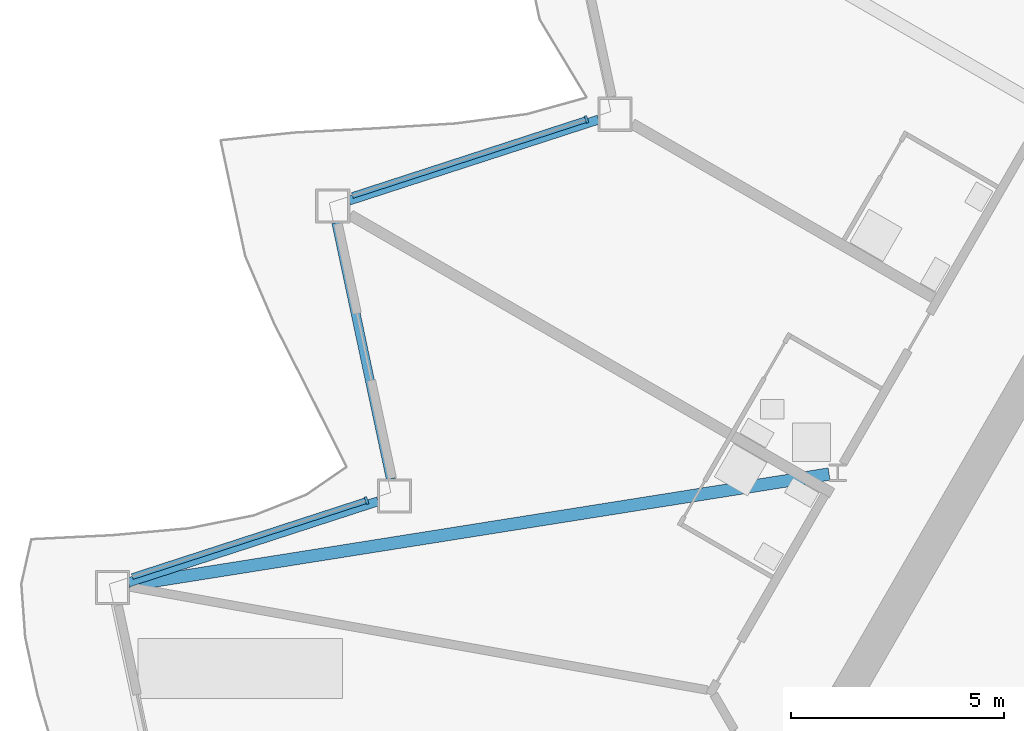
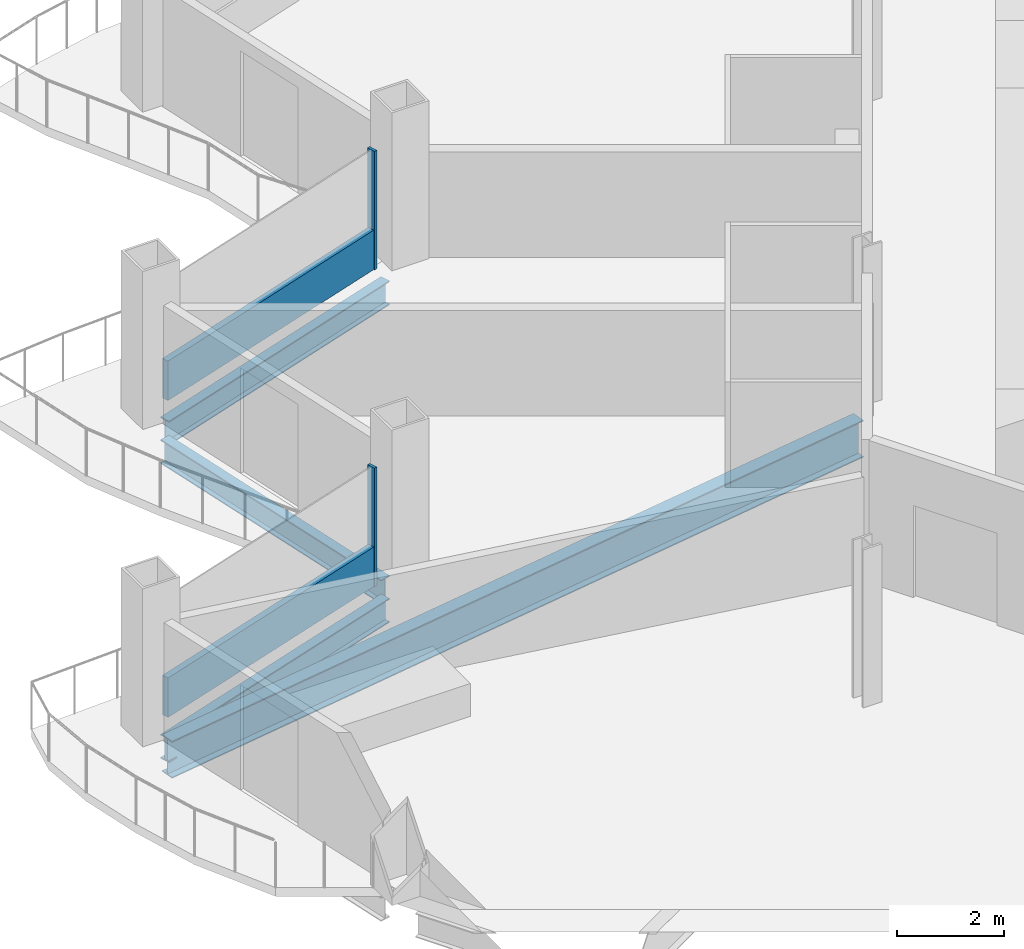
# One storey, part 5 of 23: 4 beams, 4 members, 2 elements without a shape of their own.
"""IFC4 building model written with IfcOpenShell, lengths in metres."""

from ifc_helpers import new_model, si_unit, direction, frame, origin, origin_2d, place, context, subcontext, project, spatial, rectangle, i_section, extrude, material, layer, layer_set, material_profile, profile_set, type_object, element, aggregate, save


model = new_model("IFC4")

# Units and contexts
model_context = context("Model", 3, precision=1e-05, world=origin(), true_north=direction((0.0, 1.0)))
body_context = subcontext(model_context, "Body", "Model", "MODEL_VIEW")
ifc_project = project(units=[si_unit("LENGTHUNIT", "METRE"), si_unit("AREAUNIT", "SQUARE_METRE"), si_unit("VOLUMEUNIT", "CUBIC_METRE"), si_unit("PLANEANGLEUNIT", "RADIAN"), si_unit("MASSUNIT", "GRAM", prefix="KILO")], contexts=[model_context])

# Site, building, storey
site_placement = place(None, origin())
site = spatial("IfcSite", under=ifc_project, at=site_placement, CompositionType="ELEMENT")
building_placement = place(site_placement, origin())
building = spatial("IfcBuilding", under=site, at=building_placement, Name="Cormorant Prow Tower", CompositionType="ELEMENT")
storey_placement = place(building_placement, frame((0.0, 0.0, 212.39990234375)))
storey = spatial("IfcBuildingStorey", under=building, at=storey_placement, Name="L47", CompositionType="ELEMENT", Elevation=212.39990234375)

# Curtain wall, member
ifc_material_1 = material(Name="Aluminium 6063-T6", Category="aluminium")
ifc_layer = layer(ifc_material_1, 0.179931640625)
ifc_layer_set = layer_set([ifc_layer], Name="Aluminium 6063-T6")
curtain_wall_type = type_object("IfcCurtainWallType", Name="Hotel unitised curtain wall 180", PredefinedType="NOTDEFINED", material=ifc_layer_set)
curtain_wall_1_placement = place(storey_placement, origin())
curtain_wall_1 = element("IfcCurtainWall", 1, at=curtain_wall_1_placement, inside=storey, type_object=curtain_wall_type, Name="Hotel curtain wall WNW06", PredefinedType="NOTDEFINED")
ifc_material_2 = material(Name="Aluminium 6063-T6", Category="aluminium")
ifc_material_profile_1 = material_profile(ifc_material_2, rectangle(XDim=0.179931640625, YDim=0.06005859375, at=origin_2d()), Name="Hotel mullion 60x180")
ifc_profile_set_1 = profile_set([ifc_material_profile_1], Name="Aluminium 6063-T6")
member_type_1 = type_object("IfcMemberType", Name="Hotel mullion 60x180", PredefinedType="MULLION", material=ifc_profile_set_1)
member_1_placement = place(storey_placement, frame((-20.627197265625, 5.442626953125, 0.0), z_axis=(0.0, 0.0, 1.0), x_axis=(0.30901701685, -0.951056508993, 0.0)))
member_1 = element("IfcMember", 2, at=member_1_placement, type_object=member_type_1, Name="Hotel mullion WNW06", PredefinedType="MULLION", context=body_context, shape_type="SweptSolid", body=[
    extrude(rectangle(XDim=0.179931640625, YDim=0.06005859375, at=origin_2d()), origin(), (0.0, 0.0, 1.0), 2.700927734375),
])

curtain_wall_2_placement = place(storey_placement, origin())
curtain_wall_2 = element("IfcCurtainWall", 3, at=curtain_wall_2_placement, inside=storey, type_object=curtain_wall_type, Name="Hotel curtain wall WNW08", PredefinedType="NOTDEFINED")
member_2_placement = place(storey_placement, frame((-25.78271484375, -3.487060546875, 0.0), z_axis=(0.0, 0.0, 1.0), x_axis=(0.309016974489, -0.951056522756, 0.0)))
member_2 = element("IfcMember", 4, at=member_2_placement, type_object=member_type_1, Name="Hotel mullion WNW08", PredefinedType="MULLION", context=body_context, shape_type="SweptSolid", body=[
    extrude(rectangle(XDim=0.179931640625, YDim=0.06005859375, at=origin_2d()), origin(), (0.0, 0.0, 1.0), 2.700927734375),
])

# Member
ifc_material_3 = material(Name="Terracotta", Category="masonry")
ifc_material_profile_2 = material_profile(ifc_material_3, rectangle(XDim=0.139892578125, YDim=0.89990234375, at=origin_2d()), Name="Hotel terracotta spandrel rail 140x900")
ifc_profile_set_2 = profile_set([ifc_material_profile_2], Name="Terracotta")
member_type_2 = type_object("IfcMemberType", Name="Hotel terracotta spandrel rail 140x900", PredefinedType="USERDEFINED", material=ifc_profile_set_2)
member_3_placement = place(storey_placement, frame((-20.65576171875, 5.43359375, 0.4501953125), z_axis=(-0.951045942446, -0.309049535442, 0.0), x_axis=(0.309049535442, -0.951045942446, 0.0)))
member_3 = element("IfcMember", 5, at=member_3_placement, type_object=member_type_2, Name="Hotel spandrel rail WNW06", ObjectType="TRANSOM", PredefinedType="USERDEFINED", context=body_context, shape_type="SweptSolid", body=[
    extrude(rectangle(XDim=0.139892578125, YDim=0.89990234375, at=origin_2d()), origin(), (0.0, 0.0, 1.0), 5.741455078125),
])

aggregate(curtain_wall_1, [member_1, member_3])

member_4_placement = place(storey_placement, frame((-25.811279296875, -3.496337890625, 0.4501953125), z_axis=(-0.951062500034, -0.308998577715, 0.0), x_axis=(0.308998577715, -0.951062500034, 0.0)))
member_4 = element("IfcMember", 6, at=member_4_placement, type_object=member_type_2, Name="Hotel spandrel rail WNW08", ObjectType="TRANSOM", PredefinedType="USERDEFINED", context=body_context, shape_type="SweptSolid", body=[
    extrude(rectangle(XDim=0.139892578125, YDim=0.89990234375, at=origin_2d()), origin(), (0.0, 0.0, 1.0), 5.74169921875),
])

aggregate(curtain_wall_2, [member_2, member_4])

# Beams
ifc_material_4 = material(Name="Structural steel ASTM A992 Gr 50", Category="steel")
ifc_material_profile_3 = material_profile(ifc_material_4, i_section(OverallWidth=0.29296875, OverallDepth=0.845703125, WebThickness=0.015380859375, FlangeThickness=0.0244140625, at=origin_2d()), Name="W33x141")
ifc_profile_set_3 = profile_set([ifc_material_profile_3], Name="Structural steel ASTM A992 Gr 50")
beam_type_1 = type_object("IfcBeamType", Name="Radial floor beam W33x141", PredefinedType="BEAM", material=ifc_profile_set_3)
beam_1_placement = place(storey_placement, frame((-14.94384765625, -2.869140625, -0.772705078125), z_axis=(-0.987678058302, -0.156499371084, 0.0), x_axis=(0.156499371084, -0.987678058302, 0.0)))
element("IfcBeam", 7, at=beam_1_placement, inside=storey, type_object=beam_type_1, Name="Radial floor beam FB2 4 L47", PredefinedType="BEAM", context=body_context, shape_type="SweptSolid", body=[
    extrude(i_section(OverallWidth=0.29296875, OverallDepth=0.845703125, WebThickness=0.015380859375, FlangeThickness=0.0244140625, at=origin_2d()), origin(), (0.0, 0.0, 1.0), 16.604736328125),
])
ifc_material_5 = material(Name="Structural steel ASTM A992 Gr 50", Category="steel")
ifc_material_profile_4 = material_profile(ifc_material_5, i_section(OverallWidth=0.2138671875, OverallDepth=0.549072265625, WebThickness=0.0146484375, FlangeThickness=0.023681640625, at=origin_2d()), Name="W21x93")
ifc_profile_set_4 = profile_set([ifc_material_profile_4], Name="Structural steel ASTM A992 Gr 50")
beam_type_2 = type_object("IfcBeamType", Name="Spandrel beam W21x93", PredefinedType="SPANDREL", material=ifc_profile_set_4)
beam_2_placement = place(storey_placement, frame((-20.344970703125, 5.439208984375, -0.62451171875), z_axis=(-0.951057696564, -0.309013361859, 0.0), x_axis=(0.309013361859, -0.951057696564, 0.0)))
element("IfcBeam", 8, at=beam_2_placement, inside=storey, type_object=beam_type_2, Name="Spandrel beam SB2 WNW06-WNW07 L47", PredefinedType="SPANDREL", context=body_context, shape_type="SweptSolid", body=[
    extrude(i_section(OverallWidth=0.2138671875, OverallDepth=0.549072265625, WebThickness=0.0146484375, FlangeThickness=0.023681640625, at=origin_2d()), origin(), (0.0, 0.0, 1.0), 6.14990234375),
])
beam_3_placement = place(storey_placement, frame((-26.490966796875, 3.02392578125, -0.62451171875), z_axis=(0.207904811195, -0.978149063018, 0.0), x_axis=(0.978149063018, 0.207904811195, 0.0)))
element("IfcBeam", 9, at=beam_3_placement, inside=storey, type_object=beam_type_2, Name="Spandrel beam SB2 WNW07-WNW08 L47", PredefinedType="SPANDREL", context=body_context, shape_type="SweptSolid", body=[
    extrude(i_section(OverallWidth=0.2138671875, OverallDepth=0.549072265625, WebThickness=0.0146484375, FlangeThickness=0.023681640625, at=origin_2d()), origin(), (0.0, 0.0, 1.0), 6.149658203125),
])
beam_4_placement = place(storey_placement, frame((-25.509765625, -3.50634765625, -0.62451171875), z_axis=(-0.951057696564, -0.309013361859, 0.0), x_axis=(0.309013361859, -0.951057696564, 0.0)))
element("IfcBeam", 10, at=beam_4_placement, inside=storey, type_object=beam_type_2, Name="Spandrel beam SB2 WNW08-WNW09 L47", PredefinedType="SPANDREL", context=body_context, shape_type="SweptSolid", body=[
    extrude(i_section(OverallWidth=0.2138671875, OverallDepth=0.549072265625, WebThickness=0.0146484375, FlangeThickness=0.023681640625, at=origin_2d()), origin(), (0.0, 0.0, 1.0), 6.14990234375),
])

save(model, "model.ifc")
